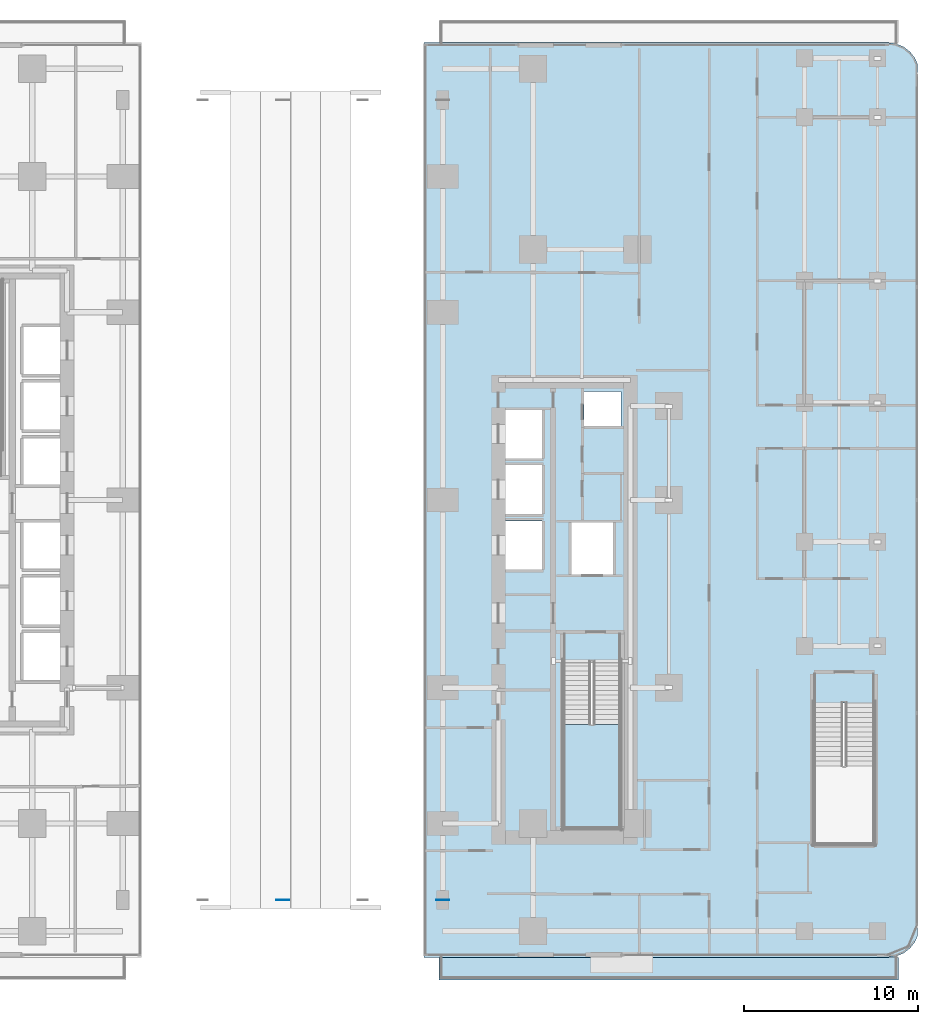
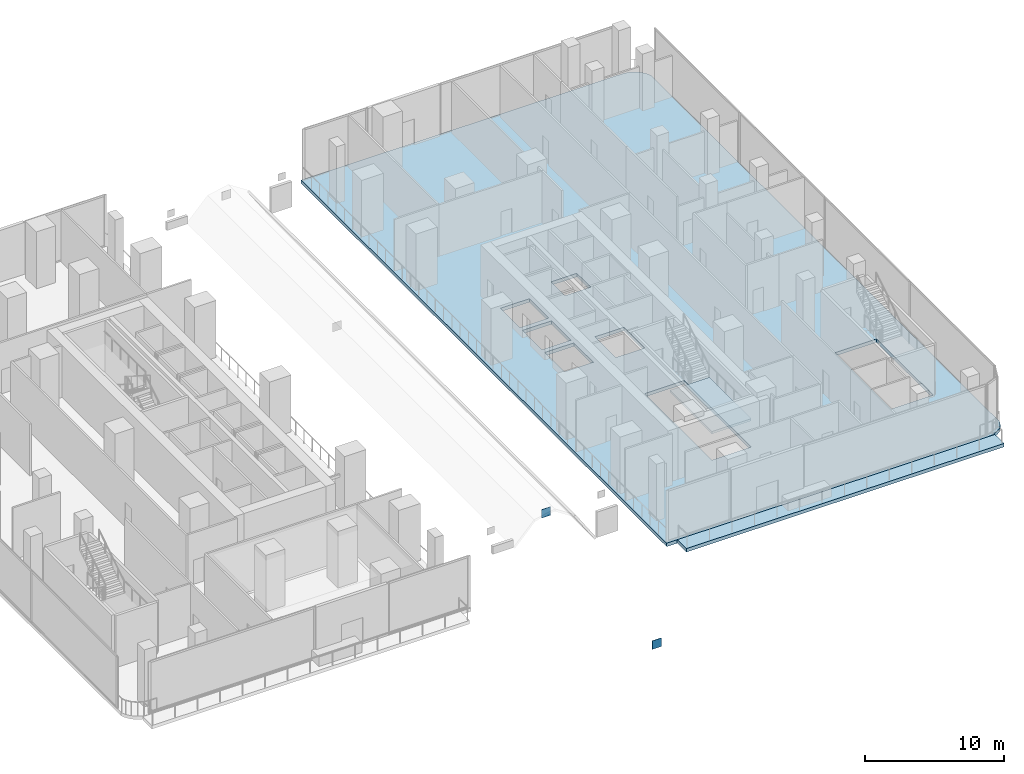
# One storey, part 4 of 32: 3 slabs, 2 plates, 1 element without a shape of its own.
"""IFC4 building model written with IfcOpenShell, lengths in metres."""

from ifc_helpers import new_model, si_unit, direction, frame, origin, origin_2d, place, context, subcontext, project, spatial, polyline, rectangle, outline, extrude, material, layer, layer_set, type_object, element, aggregate, save


model = new_model("IFC4")

# Units and contexts
model_context = context("Model", 3, precision=1e-05, world=origin(), true_north=direction((0.0, 1.0)))
body_context = subcontext(model_context, "Body", "Model", "MODEL_VIEW")
ifc_project = project(units=[si_unit("LENGTHUNIT", "METRE"), si_unit("AREAUNIT", "SQUARE_METRE"), si_unit("VOLUMEUNIT", "CUBIC_METRE"), si_unit("PLANEANGLEUNIT", "RADIAN"), si_unit("MASSUNIT", "GRAM", prefix="KILO")], contexts=[model_context])

# Site, building, storey
site_placement = place(None, origin())
site = spatial("IfcSite", under=ifc_project, at=site_placement, CompositionType="ELEMENT")
building_placement = place(site_placement, origin())
building = spatial("IfcBuilding", under=site, at=building_placement, Name="Khairoan Windgate Tower", CompositionType="ELEMENT")
storey_placement = place(building_placement, frame((0.0, 0.0, 16.0)))
storey = spatial("IfcBuildingStorey", under=building, at=storey_placement, Name="L04", CompositionType="ELEMENT", Elevation=16.0)

# Plates
ifc_material_1 = material(Name="Steel S355", Category="steel")
ifc_layer_1 = layer(ifc_material_1, 0.031982421875, Name="Steel S355")
ifc_layer_set_1 = layer_set([ifc_layer_1], Name="Steel S355")
plate_type = type_object("IfcPlateType", Name="Outrigger Node Gusset Plate PL-GUS32", PredefinedType="SHEET", material=ifc_layer_set_1)
for number, where, z_axis, x_axis, name in (
    (1, (0.0, -23.0, 3.175048828125), (0.0, 0.0, 1.0), (1.0, 0.0, 0.0), "Arch Rib Crown Gusset S-1B"),
    (2, (9.199951171875, -23.0, -11.574951171875), (0.0, 0.0, 1.0), (1.0, 0.0, 0.0), "Arch Rib Crown Gusset S-2B"),
):
    element("IfcPlate", number, at=place(storey_placement, frame(where, z_axis=z_axis, x_axis=x_axis)), inside=storey, type_object=plate_type, Name=name, PredefinedType="SHEET", context=body_context, shape_type="SweptSolid", body=[
        extrude(rectangle(XDim=0.75, YDim=0.031982421875, at=origin_2d()), origin(), (0.0, 0.0, 1.0), 0.75),
    ])

# Slabs
ifc_material_2 = material(Name="Concrete C40/50", Category="concrete")
ifc_layer_2 = layer(ifc_material_2, 0.300048828125, Name="Concrete C40/50")
ifc_layer_set_2 = layer_set([ifc_layer_2], Name="Concrete C40/50")
slab_type_1 = type_object("IfcSlabType", Name="Podium Floor Slab FS1 300mm", PredefinedType="FLOOR", material=ifc_layer_set_2)
slab_1_placement = place(storey_placement, frame((0.0, 0.0, -0.300048828125)))
element("IfcSlab", 3, at=slab_1_placement, inside=storey, type_object=slab_type_1, Name="L04 E Wing Structural Floor Slab", PredefinedType="FLOOR", context=body_context, shape_type="SweptSolid", body=[
    extrude(outline(polyline([(36.35888671875, -25.39990234375), (36.07275390625, -25.772705078125), (35.699951171875, -26.058837890625), (35.265869140625, -26.23876953125), (34.800048828125, -26.300048828125), (8.1201171875, -26.300048828125), (8.1201171875, 26.300048828125), (34.800048828125, 26.300048828125), (35.265869140625, 26.23876953125), (35.699951171875, 26.058837890625), (36.07275390625, 25.772705078125), (36.35888671875, 25.39990234375), (36.5, 25.059326171875), (36.5, -25.059326171875), (36.35888671875, -25.39990234375)]), holes=[polyline([(16.14990234375, -9.260009765625), (16.14990234375, -18.89990234375), (19.419921875, -18.89990234375), (19.419921875, -9.260009765625), (16.14990234375, -9.260009765625)]), polyline([(30.550048828125, -11.659912109375), (30.550048828125, -19.800048828125), (34.02001953125, -19.800048828125), (34.02001953125, -11.659912109375), (30.550048828125, -11.659912109375)]), polyline([(12.5, 2.39990234375), (14.89990234375, 2.39990234375), (14.89990234375, 5.199951171875), (12.5, 5.199951171875), (12.5, 2.39990234375)]), polyline([(12.5, -0.800048828125), (14.89990234375, -0.800048828125), (14.89990234375, 2.0), (12.5, 2.0), (12.5, -0.800048828125)]), polyline([(12.5, -4.0), (14.89990234375, -4.0), (14.89990234375, -1.199951171875), (12.5, -1.199951171875), (12.5, -4.0)]), polyline([(16.60009765625, -4.300048828125), (19.0, -4.300048828125), (19.0, -1.300048828125), (16.60009765625, -1.300048828125), (16.60009765625, -4.300048828125)]), polyline([(17.31005859375, 4.25), (19.449951171875, 4.25), (19.449951171875, 6.25), (17.31005859375, 6.25), (17.31005859375, 4.25)])]), origin(), (0.0, 0.0, 1.0), 0.300048828125),
])
ifc_material_3 = material(Name="Concrete C40/50", Category="concrete")
ifc_layer_3 = layer(ifc_material_3, 0.300048828125, Name="Concrete C40/50")
ifc_layer_set_3 = layer_set([ifc_layer_3], Name="Concrete C40/50")
slab_type_2 = type_object("IfcSlabType", Name="Podium Terrace Roof Slab RS1 300mm", PredefinedType="ROOF", material=ifc_layer_set_3)
slab_2_placement = place(storey_placement, frame((0.0, 0.0, -0.300048828125)))
element("IfcSlab", 4, at=slab_2_placement, inside=storey, type_object=slab_type_2, Name="South-East Boulevard Sky Terrace", PredefinedType="ROOF", context=body_context, shape_type="SweptSolid", body=[
    extrude(outline(polyline([(9.0, -27.60009765625), (35.39990234375, -27.60009765625), (35.39990234375, -26.300048828125), (9.0, -26.300048828125), (9.0, -27.60009765625)])), origin(), (0.0, 0.0, 1.0), 0.300048828125),
])

# Stair, slab
ifc_material_4 = material(Name="Concrete C40/50", Category="concrete")
stair_type = type_object("IfcStairType", Name="Tower Core Dog-Leg Stair ST-T1 1560mm", PredefinedType="HALF_TURN_STAIR", material=ifc_material_4)
stair_placement = place(storey_placement, origin())
stair = element("IfcStair", 5, at=stair_placement, inside=storey, type_object=stair_type, Name="L04 Stair ST1", PredefinedType="HALF_TURN_STAIR")
ifc_material_5 = material(Name="Concrete C40/50", Category="concrete")
ifc_layer_4 = layer(ifc_material_5, 0.199951171875, Name="Concrete C40/50")
ifc_layer_set_4 = layer_set([ifc_layer_4], Name="Concrete C40/50")
slab_type_3 = type_object("IfcSlabType", Name="Reinforced Concrete Stair Landing Slab STL-200", PredefinedType="LANDING", material=ifc_layer_set_4)
slab_3_placement = place(storey_placement, frame((0.0, 0.0, 2.300048828125)))
slab_3 = element("IfcSlab", 6, at=slab_3_placement, type_object=slab_type_3, Name="ST1 landing 1", PredefinedType="LANDING", context=body_context, shape_type="SweptSolid", body=[
    extrude(outline(polyline([(16.14990234375, -12.89990234375), (16.14990234375, -18.89990234375), (19.419921875, -18.89990234375), (19.419921875, -12.89990234375), (16.14990234375, -12.89990234375)])), origin(), (0.0, 0.0, 1.0), 0.199951171875),
])
aggregate(stair, [slab_3])

save(model, "model.ifc")
